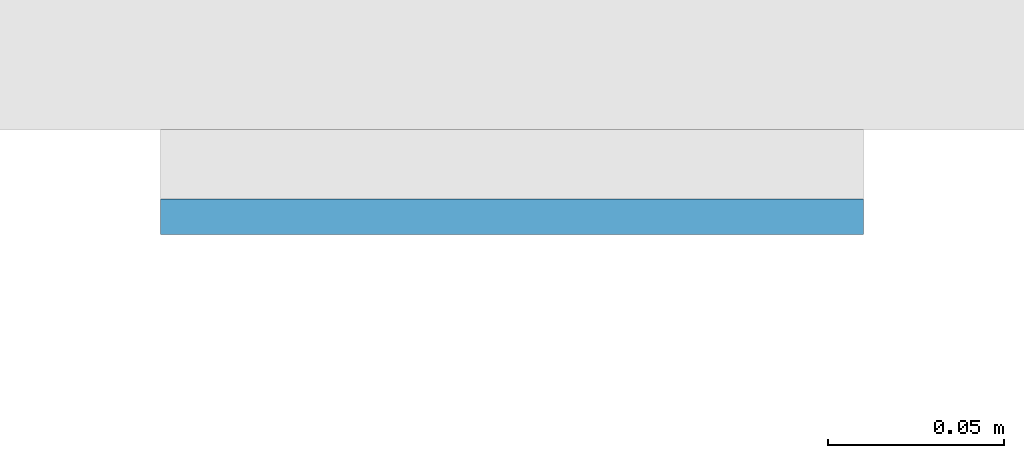
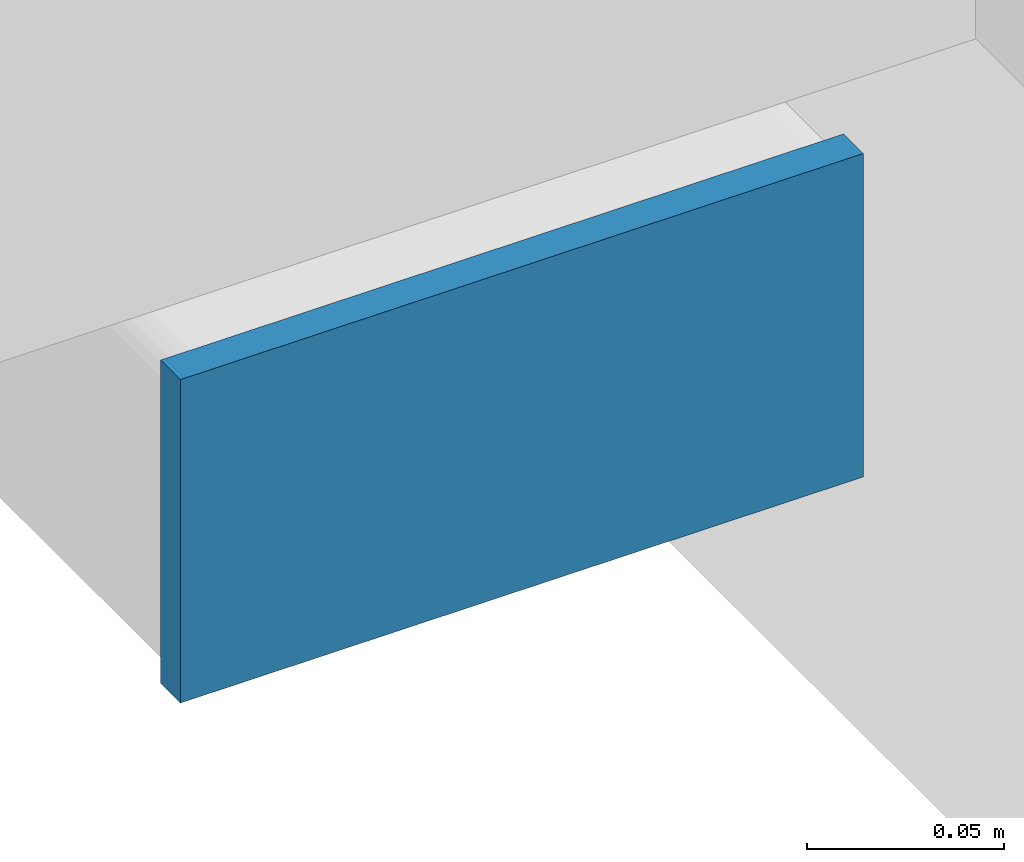
# One storey, part 8 of 20: 1 plate.
"""IFC4 building model written with IfcOpenShell, lengths in metres."""

from ifc_helpers import new_model, si_unit, direction, frame, origin, origin_2d, place, context, subcontext, project, spatial, rectangle, extrude, material, layer, layer_set, type_object, element, save


model = new_model("IFC4")

# Units and contexts
model_context = context("Model", 3, precision=1e-05, world=origin(), true_north=direction((0.0, 1.0)))
body_context = subcontext(model_context, "Body", "Model", "MODEL_VIEW")
ifc_project = project(units=[si_unit("LENGTHUNIT", "METRE"), si_unit("AREAUNIT", "SQUARE_METRE"), si_unit("VOLUMEUNIT", "CUBIC_METRE"), si_unit("PLANEANGLEUNIT", "RADIAN"), si_unit("MASSUNIT", "GRAM", prefix="KILO")], contexts=[model_context])

# Site, building, storey
site_placement = place(None, origin())
site = spatial("IfcSite", under=ifc_project, at=site_placement, CompositionType="ELEMENT")
building_placement = place(site_placement, origin())
building = spatial("IfcBuilding", under=site, at=building_placement, Name="Cleftline Residences", CompositionType="ELEMENT")
storey_placement = place(building_placement, frame((0.0, 0.0, 103.39990234375)))
storey = spatial("IfcBuildingStorey", under=building, at=storey_placement, Name="L26", CompositionType="ELEMENT", Elevation=103.39990234375)

# Plate
ifc_material = material(Name="Steel S355, hot-dip galvanised", Category="steel")
ifc_layer = layer(ifc_material, 0.010009765625)
ifc_layer_set = layer_set([ifc_layer], Name="BAGUETTE CARRIER END PLATE 200X100X10")
plate_type = type_object("IfcPlateType", Name="BAGUETTE CARRIER END PLATE 200X100X10", PredefinedType="USERDEFINED", material=ifc_layer_set)
plate_placement = place(storey_placement, frame((-0.85009765625, 3.695068359375, -0.099853515625), z_axis=(0.0, 0.0, 1.0), x_axis=(-1.0, 0.0, 0.0)))
element("IfcPlate", 1, at=plate_placement, inside=storey, type_object=plate_type, Name="Baguette carrier end plate", ObjectType="BAGUETTE CARRIER END PLATE", PredefinedType="USERDEFINED", context=body_context, shape_type="SweptSolid", body=[
    extrude(rectangle(XDim=0.199951171875, YDim=0.010009765625, at=origin_2d()), origin(), (0.0, 0.0, 1.0), 0.10009765625),
])

save(model, "model.ifc")
